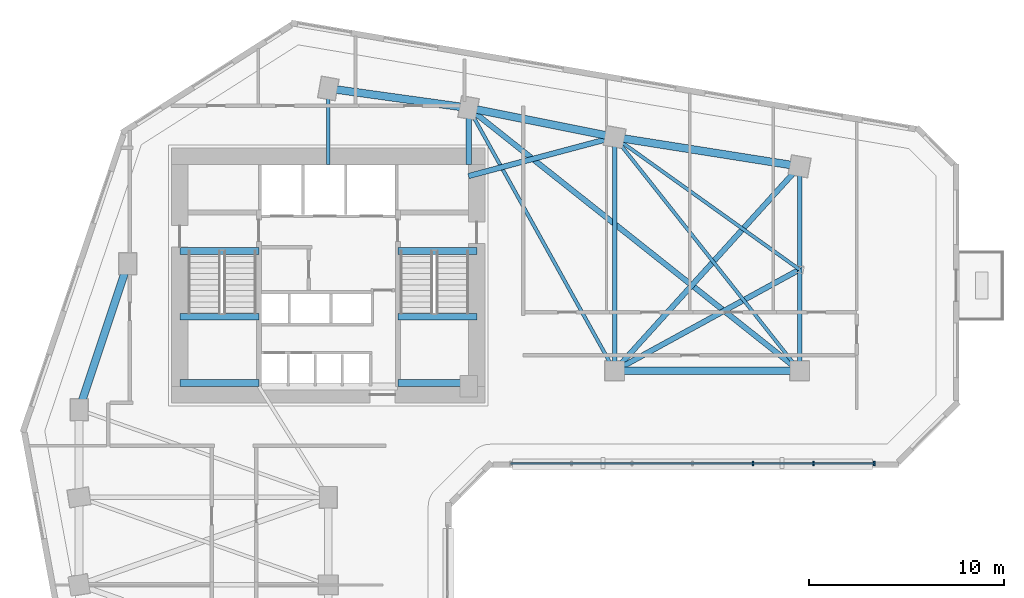
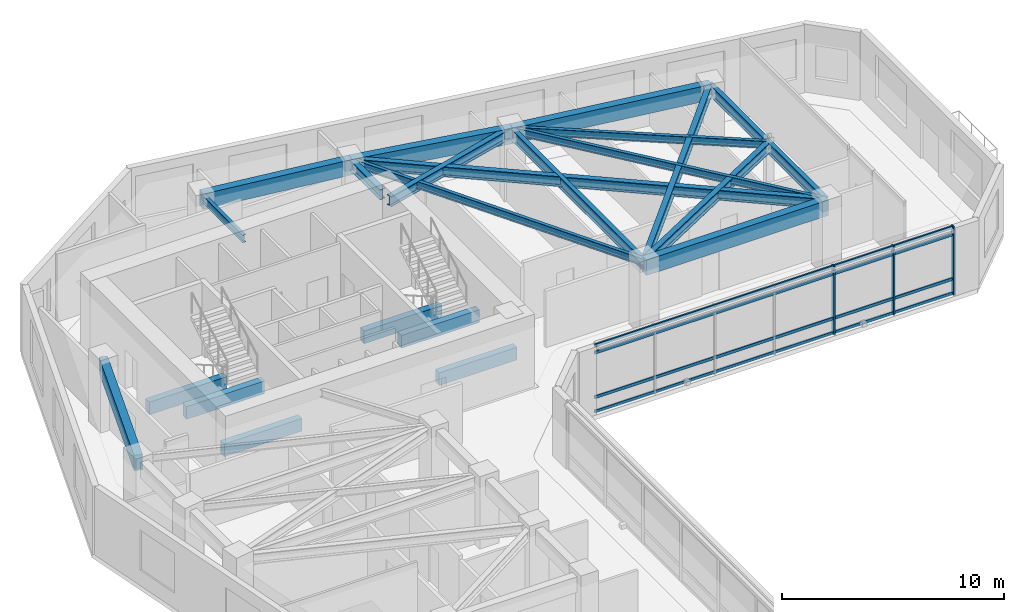
# One storey, part 3 of 11: 22 beams, 7 members, 1 element without a shape of its own.
"""IFC4 building model written with IfcOpenShell, lengths in metres."""

from ifc_helpers import new_model, si_unit, direction, frame, origin, origin_2d, place, context, subcontext, project, spatial, rectangle, i_section, extrude, source, transform, mapped, material, material_profile, profile_set, type_object, element, aggregate, save


model = new_model("IFC4")

# Units and contexts
model_context = context("Model", 3, precision=1e-05, world=origin(), true_north=direction((0.0, 1.0)))
body_context = subcontext(model_context, "Body", "Model", "MODEL_VIEW")
ifc_project = project(units=[si_unit("LENGTHUNIT", "METRE"), si_unit("AREAUNIT", "SQUARE_METRE"), si_unit("VOLUMEUNIT", "CUBIC_METRE"), si_unit("PLANEANGLEUNIT", "RADIAN"), si_unit("MASSUNIT", "GRAM", prefix="KILO")], contexts=[model_context])

# Site, building, storey
site_placement = place(None, origin())
site = spatial("IfcSite", under=ifc_project, at=site_placement, CompositionType="ELEMENT")
building_placement = place(site_placement, origin())
building = spatial("IfcBuilding", under=site, at=building_placement, Name="Calvemar Wedge Station Tower", CompositionType="ELEMENT")
storey_placement = place(building_placement, frame((0.0, 0.0, 75.0)))
storey = spatial("IfcBuildingStorey", under=building, at=storey_placement, Name="L18", CompositionType="ELEMENT", Elevation=75.0)

# Beams
ifc_material_1 = material(Name="Concrete C70", Category="concrete")
ifc_material_profile_1 = material_profile(ifc_material_1, rectangle(XDim=0.35009765625, YDim=0.699951171875, at=origin_2d()), Name="RC350x700")
ifc_profile_set_1 = profile_set([ifc_material_profile_1], Name="Concrete C70")
beam_type_1 = type_object("IfcBeamType", Name="BM-LN1-700", PredefinedType="LINTEL", material=ifc_profile_set_1)
shared_shape_1 = source(origin(), body_context, "Body", "SweptSolid", [
    extrude(rectangle(XDim=0.35009765625, YDim=0.699951171875, at=origin_2d()), origin(), (0.0, 0.0, 1.0), 4.054931640625),
])
for number, where, z_axis, x_axis, name in (
    (1, (16.175048828125, 41.14990234375, -0.35009765625), (1.0, 0.0, 0.0), (0.0, 1.0, 0.0), "Storey L18 Stair ST-C1 Landing Trimmer Beam"),
    (2, (27.3701171875, 41.14990234375, -0.35009765625), (1.0, 0.0, 0.0), (0.0, 1.0, 0.0), "Storey L18 Stair ST-C2 Landing Trimmer Beam"),
    (3, (16.175048828125, 34.3798828125, 1.449951171875), (1.0, 0.0, 0.0), (0.0, 1.0, 0.0), "Storey L18 Stair ST-C1 Half-Landing Beam 1A"),
    (4, (16.175048828125, 37.780029296875, 1.449951171875), (1.0, 0.0, 0.0), (0.0, 1.0, 0.0), "Storey L18 Stair ST-C1 Half-Landing Beam 1B"),
    (5, (27.3701171875, 34.3798828125, 1.449951171875), (1.0, 0.0, 0.0), (0.0, 1.0, 0.0), "Storey L18 Stair ST-C2 Half-Landing Beam 1A"),
    (6, (27.3701171875, 37.780029296875, 1.449951171875), (1.0, 0.0, 0.0), (0.0, 1.0, 0.0), "Storey L18 Stair ST-C2 Half-Landing Beam 1B"),
):
    element("IfcBeam", number, at=place(storey_placement, frame(where, z_axis=z_axis, x_axis=x_axis)), inside=storey, type_object=beam_type_1, Name=name, PredefinedType="LINTEL", context=body_context, shape_type="MappedRepresentation", body=[
        mapped(shared_shape_1, transform((0.0, 0.0, 0.0), scale=1.0)),
    ])
ifc_material_2 = material(Name="Concrete C60", Category="concrete")
ifc_material_profile_2 = material_profile(ifc_material_2, rectangle(XDim=0.39990234375, YDim=0.85009765625, at=origin_2d()), Name="RC400x850")
ifc_profile_set_2 = profile_set([ifc_material_profile_2], Name="Concrete C60")
beam_type_2 = type_object("IfcBeamType", Name="BM-SP1-850", PredefinedType="SPANDREL", material=ifc_profile_set_2)
shared_shape_2 = source(origin(), body_context, "Body", "SweptSolid", [
    extrude(rectangle(XDim=0.39990234375, YDim=0.85009765625, at=origin_2d()), origin(), (0.0, 0.0, 1.0), 7.90576171875),
])
beam_1_placement = place(storey_placement, frame((11.0, 33.0, 3.324951171875), z_axis=(0.316227766017, 0.948683298051, 0.0), x_axis=(-0.948683298051, 0.316227766017, 0.0)))
element("IfcBeam", 7, at=beam_1_placement, inside=storey, type_object=beam_type_2, Name="Storey L18 Spandrel T-NW1-T-NW2", PredefinedType="SPANDREL", context=body_context, shape_type="MappedRepresentation", body=[
    mapped(shared_shape_2, transform((0.0, 0.0, 0.0), scale=1.0)),
])
shared_shape_3 = source(origin(), body_context, "Body", "SweptSolid", [
    extrude(rectangle(XDim=0.39990234375, YDim=0.85009765625, at=origin_2d()), origin(), (0.0, 0.0, 1.0), 7.26904296875),
])
beam_2_placement = place(storey_placement, frame((23.800048828125, 49.5, 3.324951171875), z_axis=(0.990492146053, -0.13756928657, 0.0), x_axis=(0.13756928657, 0.990492146053, 0.0)))
element("IfcBeam", 8, at=beam_2_placement, inside=storey, type_object=beam_type_2, Name="Storey L18 Spandrel T-N1-T-N2", PredefinedType="SPANDREL", context=body_context, shape_type="MappedRepresentation", body=[
    mapped(shared_shape_3, transform((0.0, 0.0, 0.0), scale=1.0)),
])
shared_shape_4 = source(origin(), body_context, "Body", "SweptSolid", [
    extrude(rectangle(XDim=0.39990234375, YDim=0.85009765625, at=origin_2d()), origin(), (0.0, 0.0, 1.0), 7.6484375),
])
beam_3_placement = place(storey_placement, frame((31.0, 48.5, 3.324951171875), z_axis=(0.980580675691, -0.196116135138, 0.0), x_axis=(0.196116135138, 0.980580675691, 0.0)))
element("IfcBeam", 9, at=beam_3_placement, inside=storey, type_object=beam_type_2, Name="Storey L18 Spandrel T-N2-T-NU3", PredefinedType="SPANDREL", context=body_context, shape_type="MappedRepresentation", body=[
    mapped(shared_shape_4, transform((0.0, 0.0, 0.0), scale=1.0)),
])
shared_shape_5 = source(origin(), body_context, "Body", "SweptSolid", [
    extrude(rectangle(XDim=0.39990234375, YDim=0.85009765625, at=origin_2d()), origin(), (0.0, 0.0, 1.0), 9.61767578125),
])
beam_4_placement = place(storey_placement, frame((38.5, 47.0, 3.324951171875), z_axis=(0.987762965329, -0.155962573473, 0.0), x_axis=(0.155962573473, 0.987762965329, 0.0)))
element("IfcBeam", 10, at=beam_4_placement, inside=storey, type_object=beam_type_2, Name="Storey L18 Spandrel T-NU3-T-NU4", PredefinedType="SPANDREL", context=body_context, shape_type="MappedRepresentation", body=[
    mapped(shared_shape_5, transform((0.0, 0.0, 0.0), scale=1.0)),
])
shared_shape_6 = source(origin(), body_context, "Body", "SweptSolid", [
    extrude(rectangle(XDim=0.39990234375, YDim=0.85009765625, at=origin_2d()), origin(), (0.0, 0.0, 1.0), 9.5),
])
beam_5_placement = place(storey_placement, frame((38.5, 35.0, 3.324951171875), z_axis=(1.0, 0.0, 0.0), x_axis=(0.0, 1.0, 0.0)))
element("IfcBeam", 11, at=beam_5_placement, inside=storey, type_object=beam_type_2, Name="Storey L18 Spandrel T-NL2-T-NL3", PredefinedType="SPANDREL", context=body_context, shape_type="MappedRepresentation", body=[
    mapped(shared_shape_6, transform((0.0, 0.0, 0.0), scale=1.0)),
])
ifc_material_3 = material(Name="Structural steel ASTM A572 Grade 50", Category="steel")
ifc_material_profile_3 = material_profile(ifc_material_3, i_section(OverallWidth=0.22998046875, OverallDepth=0.616943359375, WebThickness=0.01318359375, FlangeThickness=0.022216796875, FilletRadius=0.012939453125, at=origin_2d()), Name="W610x140")
ifc_profile_set_3 = profile_set([ifc_material_profile_3], Name="Structural steel ASTM A572 Grade 50")
beam_type_3 = type_object("IfcBeamType", Name="BM-SB2-W610", PredefinedType="BEAM", material=ifc_profile_set_3)
shared_shape_7 = source(origin(), body_context, "Body", "SweptSolid", [
    extrude(i_section(OverallWidth=0.22998046875, OverallDepth=0.616943359375, WebThickness=0.01318359375, FlangeThickness=0.022216796875, FilletRadius=0.012939453125, at=origin_2d()), origin(), (0.0, 0.0, 1.0), 12.0),
])
beam_6_placement = place(storey_placement, frame((38.5, 47.0, 3.44140625), z_axis=(0.0, -1.0, 0.0), x_axis=(1.0, 0.0, 0.0)))
element("IfcBeam", 12, at=beam_6_placement, inside=storey, type_object=beam_type_3, Name="Storey L18 Floor Beam T-NU3-T-NL2", PredefinedType="BEAM", context=body_context, shape_type="MappedRepresentation", body=[
    mapped(shared_shape_7, transform((0.0, 0.0, 0.0), scale=1.0)),
])
shared_shape_8 = source(origin(), body_context, "Body", "SweptSolid", [
    extrude(i_section(OverallWidth=0.22998046875, OverallDepth=0.616943359375, WebThickness=0.01318359375, FlangeThickness=0.022216796875, FilletRadius=0.012939453125, at=origin_2d()), origin(), (0.0, 0.0, 1.0), 10.5),
])
beam_7_placement = place(storey_placement, frame((48.0, 45.5, 3.44140625), z_axis=(0.0, -1.0, 0.0), x_axis=(1.0, 0.0, 0.0)))
element("IfcBeam", 13, at=beam_7_placement, inside=storey, type_object=beam_type_3, Name="Storey L18 Floor Beam T-NU4-T-NL3", PredefinedType="BEAM", context=body_context, shape_type="MappedRepresentation", body=[
    mapped(shared_shape_8, transform((0.0, 0.0, 0.0), scale=1.0)),
])
ifc_material_profile_4 = material_profile(ifc_material_3, i_section(OverallWidth=0.177978515625, OverallDepth=0.406982421875, WebThickness=0.0078125, FlangeThickness=0.0126953125, FilletRadius=0.010009765625, at=origin_2d()), Name="W410x60")
ifc_profile_set_4 = profile_set([ifc_material_profile_4], Name="Structural steel ASTM A572 Grade 50")
beam_type_4 = type_object("IfcBeamType", Name="BM-J3-W410", PredefinedType="JOIST", material=ifc_profile_set_4)
shared_shape_9 = source(origin(), body_context, "Body", "SweptSolid", [
    extrude(i_section(OverallWidth=0.177978515625, OverallDepth=0.406982421875, WebThickness=0.0078125, FlangeThickness=0.0126953125, FilletRadius=0.010009765625, at=origin_2d()), origin(), (0.0, 0.0, 1.0), 15.443359375),
])
beam_8_placement = place(storey_placement, frame((31.0, 48.5, 3.54638671875), z_axis=(0.485642931179, -0.874157276122, 0.0), x_axis=(0.874157276122, 0.485642931179, 0.0)))
element("IfcBeam", 14, at=beam_8_placement, inside=storey, type_object=beam_type_4, Name="Storey L18 Floor Beam T-N2-T-NL2", PredefinedType="JOIST", context=body_context, shape_type="MappedRepresentation", body=[
    mapped(shared_shape_9, transform((0.0, 0.0, 0.0), scale=1.0)),
])
ifc_material_profile_5 = material_profile(ifc_material_3, i_section(OverallWidth=0.279052734375, OverallDepth=0.553955078125, WebThickness=0.017578125, FlangeThickness=0.029541015625, FilletRadius=0.014892578125, at=origin_2d()), Name="W530x196")
ifc_profile_set_5 = profile_set([ifc_material_profile_5], Name="Structural steel ASTM A572 Grade 50")
beam_type_5 = type_object("IfcBeamType", Name="BM-SB3-W530H", PredefinedType="BEAM", material=ifc_profile_set_5)
shared_shape_10 = source(origin(), body_context, "Body", "SweptSolid", [
    extrude(i_section(OverallWidth=0.279052734375, OverallDepth=0.553955078125, WebThickness=0.017578125, FlangeThickness=0.029541015625, FilletRadius=0.014892578125, at=origin_2d()), origin(), (0.0, 0.0, 1.0), 21.708251953125),
])
beam_9_placement = place(storey_placement, frame((31.0, 48.5, 3.472900390625), z_axis=(0.783110847498, -0.621882143602, 0.0), x_axis=(0.621882143602, 0.783110847498, 0.0)))
element("IfcBeam", 15, at=beam_9_placement, inside=storey, type_object=beam_type_5, Name="Storey L18 Floor Beam T-N2-T-NL3", PredefinedType="BEAM", context=body_context, shape_type="MappedRepresentation", body=[
    mapped(shared_shape_10, transform((0.0, 0.0, 0.0), scale=1.0)),
])
shared_shape_11 = source(origin(), body_context, "Body", "SweptSolid", [
    extrude(i_section(OverallWidth=0.177978515625, OverallDepth=0.406982421875, WebThickness=0.0078125, FlangeThickness=0.0126953125, FilletRadius=0.010009765625, at=origin_2d()), origin(), (0.0, 0.0, 1.0), 15.30517578125),
])
beam_10_placement = place(storey_placement, frame((38.5, 47.0, 3.54638671875), z_axis=(0.620702944366, -0.784045824462, 0.0), x_axis=(0.784045824462, 0.620702944366, 0.0)))
element("IfcBeam", 16, at=beam_10_placement, inside=storey, type_object=beam_type_4, Name="Storey L18 Floor Beam T-NU3-T-NL3", PredefinedType="JOIST", context=body_context, shape_type="MappedRepresentation", body=[
    mapped(shared_shape_11, transform((0.0, 0.0, 0.0), scale=1.0)),
])
shared_shape_12 = source(origin(), body_context, "Body", "SweptSolid", [
    extrude(i_section(OverallWidth=0.279052734375, OverallDepth=0.553955078125, WebThickness=0.017578125, FlangeThickness=0.029541015625, FilletRadius=0.014892578125, at=origin_2d()), origin(), (0.0, 0.0, 1.0), 14.159912109375),
])
beam_11_placement = place(storey_placement, frame((38.5, 35.0, 3.472900390625), z_axis=(0.670913323969, 0.741535779124, 0.0), x_axis=(-0.741535779124, 0.670913323969, 0.0)))
element("IfcBeam", 17, at=beam_11_placement, inside=storey, type_object=beam_type_5, Name="Storey L18 Floor Beam T-NL2-T-NU4", PredefinedType="BEAM", context=body_context, shape_type="MappedRepresentation", body=[
    mapped(shared_shape_12, transform((0.0, 0.0, 0.0), scale=1.0)),
])
shared_shape_13 = source(origin(), body_context, "Body", "SweptSolid", [
    extrude(i_section(OverallWidth=0.177978515625, OverallDepth=0.406982421875, WebThickness=0.0078125, FlangeThickness=0.0126953125, FilletRadius=0.010009765625, at=origin_2d()), origin(), (0.0, 0.0, 1.0), 11.682861328125),
])
beam_12_placement = place(storey_placement, frame((48.0, 40.199951171875, 3.54638671875), z_axis=(-0.81315274409, 0.582050354161, 0.0), x_axis=(-0.582050354161, -0.81315274409, 0.0)))
element("IfcBeam", 18, at=beam_12_placement, inside=storey, type_object=beam_type_4, Name="Storey L18 Floor Beam T-NTIP-A-T-NU3", PredefinedType="JOIST", context=body_context, shape_type="MappedRepresentation", body=[
    mapped(shared_shape_13, transform((0.0, 0.0, 0.0), scale=1.0)),
])
shared_shape_14 = source(origin(), body_context, "Body", "SweptSolid", [
    extrude(i_section(OverallWidth=0.279052734375, OverallDepth=0.553955078125, WebThickness=0.017578125, FlangeThickness=0.029541015625, FilletRadius=0.014892578125, at=origin_2d()), origin(), (0.0, 0.0, 1.0), 10.830078125),
])
beam_13_placement = place(storey_placement, frame((48.0, 40.199951171875, 3.472900390625), z_axis=(-0.877190767997, -0.480142017053, 0.0), x_axis=(0.480142017053, -0.877190767997, 0.0)))
element("IfcBeam", 19, at=beam_13_placement, inside=storey, type_object=beam_type_5, Name="Storey L18 Floor Beam T-NTIP-A-T-NL2", PredefinedType="BEAM", context=body_context, shape_type="MappedRepresentation", body=[
    mapped(shared_shape_14, transform((0.0, 0.0, 0.0), scale=1.0)),
])
shared_shape_15 = source(origin(), body_context, "Body", "SweptSolid", [
    extrude(i_section(OverallWidth=0.279052734375, OverallDepth=0.553955078125, WebThickness=0.017578125, FlangeThickness=0.029541015625, FilletRadius=0.014892578125, at=origin_2d()), origin(), (0.0, 0.0, 1.0), 7.76220703125),
])
beam_14_placement = place(storey_placement, frame((31.0, 45.0, 3.472900390625), z_axis=(0.966234939601, 0.25766265056, 0.0), x_axis=(-0.25766265056, 0.966234939601, 0.0)))
element("IfcBeam", 20, at=beam_14_placement, inside=storey, type_object=beam_type_5, Name="Storey L18 Core-to-Column Joist CJ-E2", PredefinedType="BEAM", context=body_context, shape_type="MappedRepresentation", body=[
    mapped(shared_shape_15, transform((0.0, 0.0, 0.0), scale=1.0)),
])
shared_shape_16 = source(origin(), body_context, "Body", "SweptSolid", [
    extrude(i_section(OverallWidth=0.177978515625, OverallDepth=0.406982421875, WebThickness=0.0078125, FlangeThickness=0.0126953125, FilletRadius=0.010009765625, at=origin_2d()), origin(), (0.0, 0.0, 1.0), 3.89990234375),
])
beam_15_placement = place(storey_placement, frame((23.800048828125, 45.60009765625, 3.54638671875), z_axis=(0.0, 1.0, 0.0), x_axis=(-1.0, 0.0, 0.0)))
element("IfcBeam", 21, at=beam_15_placement, inside=storey, type_object=beam_type_4, Name="Storey L18 Core-to-Column Joist CJ-N1", PredefinedType="JOIST", context=body_context, shape_type="MappedRepresentation", body=[
    mapped(shared_shape_16, transform((0.0, 0.0, 0.0), scale=1.0)),
])
shared_shape_17 = source(origin(), body_context, "Body", "SweptSolid", [
    extrude(i_section(OverallWidth=0.279052734375, OverallDepth=0.553955078125, WebThickness=0.017578125, FlangeThickness=0.029541015625, FilletRadius=0.014892578125, at=origin_2d()), origin(), (0.0, 0.0, 1.0), 2.89990234375),
])
beam_16_placement = place(storey_placement, frame((31.0, 45.60009765625, 3.472900390625), z_axis=(0.0, 1.0, 0.0), x_axis=(-1.0, 0.0, 0.0)))
element("IfcBeam", 22, at=beam_16_placement, inside=storey, type_object=beam_type_5, Name="Storey L18 Core-to-Column Joist CJ-N2", PredefinedType="BEAM", context=body_context, shape_type="MappedRepresentation", body=[
    mapped(shared_shape_17, transform((0.0, 0.0, 0.0), scale=1.0)),
])

# Curtain wall, members
ifc_material_4 = material(Name="Anodised aluminium 6063-T6", Category="aluminium")
curtain_wall_type = type_object("IfcCurtainWallType", Name="CW1", PredefinedType="NOTDEFINED", material=ifc_material_4)
curtain_wall_placement = place(storey_placement, origin())
curtain_wall = element("IfcCurtainWall", 23, at=curtain_wall_placement, inside=storey, type_object=curtain_wall_type, Name="Storey L18 CW1 Recessed Unitised Curtain Wall 6", PredefinedType="NOTDEFINED")
ifc_material_profile_6 = material_profile(ifc_material_4, rectangle(XDim=0.080078125, YDim=0.219970703125, at=origin_2d()), Name="AL-MUL-80x220")
ifc_profile_set_6 = profile_set([ifc_material_profile_6], Name="Anodised aluminium 6063-T6")
member_type_1 = type_object("IfcMemberType", Name="CW1-MUL", PredefinedType="MULLION", material=ifc_profile_set_6)
shared_shape_18 = source(origin(), body_context, "Body", "SweptSolid", [
    extrude(rectangle(XDim=0.080078125, YDim=0.219970703125, at=origin_2d()), origin(), (0.0, 0.0, 1.0), 3.800048828125),
])
member_1_placement = place(storey_placement, frame((45.614013671875, 30.238037109375, -0.050048828125), z_axis=(0.0, 0.0, 1.0), x_axis=(1.0, 0.0, 0.0)))
member_1 = element("IfcMember", 24, at=member_1_placement, type_object=member_type_1, Name="CW1 mullion 5", PredefinedType="MULLION", context=body_context, shape_type="MappedRepresentation", body=[
    mapped(shared_shape_18, transform((0.0, 0.0, 0.0), scale=1.0)),
])
member_2_placement = place(storey_placement, frame((48.725830078125, 30.238037109375, -0.050048828125), z_axis=(0.0, 0.0, 1.0), x_axis=(1.0, 0.0, 0.0)))
member_2 = element("IfcMember", 25, at=member_2_placement, type_object=member_type_1, Name="CW1 mullion 6", PredefinedType="MULLION", context=body_context, shape_type="MappedRepresentation", body=[
    mapped(shared_shape_18, transform((0.0, 0.0, 0.0), scale=1.0)),
])
member_3_placement = place(storey_placement, frame((51.837890625, 30.238037109375, -0.050048828125), z_axis=(0.0, 0.0, 1.0), x_axis=(1.0, 0.0, 0.0)))
member_3 = element("IfcMember", 26, at=member_3_placement, type_object=member_type_1, Name="CW1 mullion 7", PredefinedType="MULLION", context=body_context, shape_type="MappedRepresentation", body=[
    mapped(shared_shape_18, transform((0.0, 0.0, 0.0), scale=1.0)),
])
ifc_material_profile_7 = material_profile(ifc_material_4, rectangle(XDim=0.080078125, YDim=0.159912109375, at=origin_2d()), Name="AL-TRN-80x160")
ifc_profile_set_7 = profile_set([ifc_material_profile_7], Name="Anodised aluminium 6063-T6")
member_type_2 = type_object("IfcMemberType", Name="CW1-TRN", PredefinedType="USERDEFINED", material=ifc_profile_set_7)
shared_shape_19 = source(origin(), body_context, "Body", "SweptSolid", [
    extrude(rectangle(XDim=0.080078125, YDim=0.159912109375, at=origin_2d()), origin(), (0.0, 0.0, 1.0), 18.671875),
])
member_4_placement = place(storey_placement, frame((33.166015625, 30.238037109375, 0.06005859375), z_axis=(1.0, 0.0, 0.0), x_axis=(0.0, 1.0, 0.0)))
member_4 = element("IfcMember", 27, at=member_4_placement, type_object=member_type_2, Name="CW1 transom 1", ObjectType="TRANSOM", PredefinedType="USERDEFINED", context=body_context, shape_type="MappedRepresentation", body=[
    mapped(shared_shape_19, transform((0.0, 0.0, 0.0), scale=1.0)),
])
member_5_placement = place(storey_placement, frame((33.166015625, 30.238037109375, 0.85009765625), z_axis=(1.0, 0.0, 0.0), x_axis=(0.0, 1.0, 0.0)))
member_5 = element("IfcMember", 28, at=member_5_placement, type_object=member_type_2, Name="CW1 transom 2", ObjectType="TRANSOM", PredefinedType="USERDEFINED", context=body_context, shape_type="MappedRepresentation", body=[
    mapped(shared_shape_19, transform((0.0, 0.0, 0.0), scale=1.0)),
])
member_6_placement = place(storey_placement, frame((33.166015625, 30.238037109375, 3.300048828125), z_axis=(1.0, 0.0, 0.0), x_axis=(0.0, 1.0, 0.0)))
member_6 = element("IfcMember", 29, at=member_6_placement, type_object=member_type_2, Name="CW1 transom 3", ObjectType="TRANSOM", PredefinedType="USERDEFINED", context=body_context, shape_type="MappedRepresentation", body=[
    mapped(shared_shape_19, transform((0.0, 0.0, 0.0), scale=1.0)),
])
member_7_placement = place(storey_placement, frame((33.166015625, 30.238037109375, 3.68994140625), z_axis=(1.0, 0.0, 0.0), x_axis=(0.0, 1.0, 0.0)))
member_7 = element("IfcMember", 30, at=member_7_placement, type_object=member_type_2, Name="CW1 transom 4", ObjectType="TRANSOM", PredefinedType="USERDEFINED", context=body_context, shape_type="MappedRepresentation", body=[
    mapped(shared_shape_19, transform((0.0, 0.0, 0.0), scale=1.0)),
])
aggregate(curtain_wall, [member_1, member_2, member_3, member_4, member_5, member_6, member_7])

save(model, "model.ifc")
